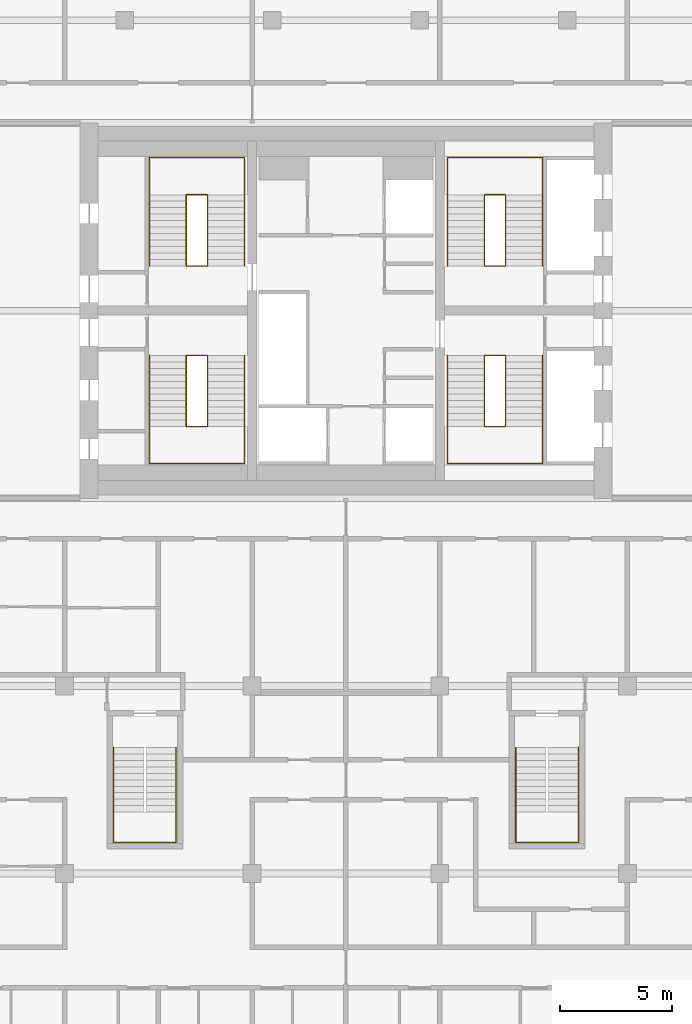
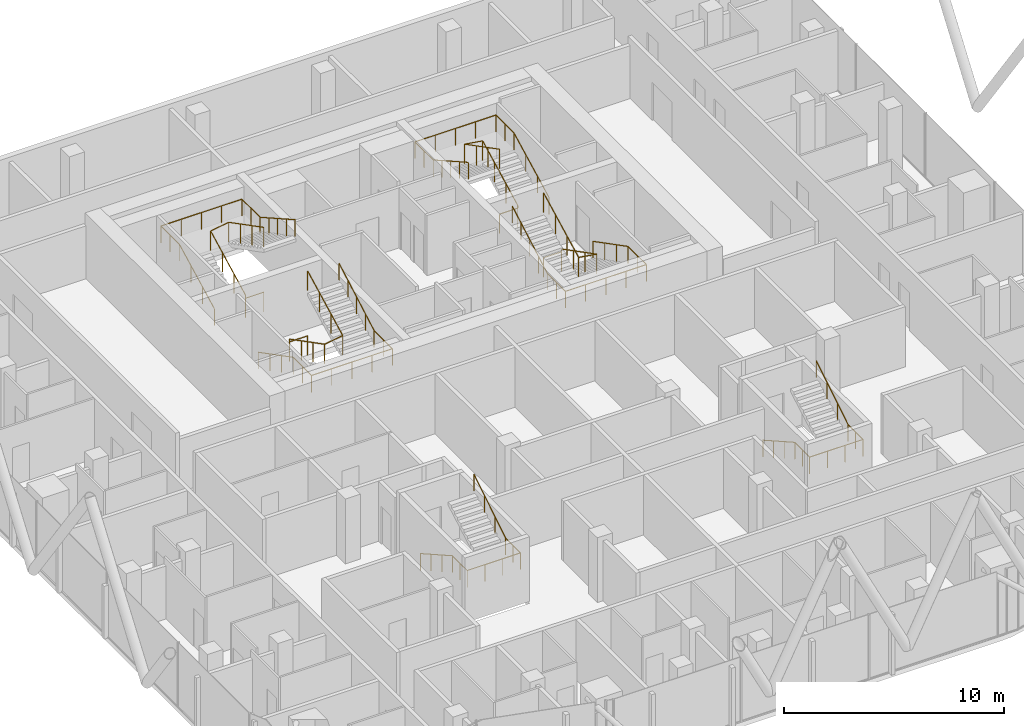
# One storey, part 28 of 28: 10 railings.
"""IFC4 building model written with IfcOpenShell, lengths in metres."""

from ifc_helpers import new_model, si_unit, direction, frame, origin, origin_2d, place, context, subcontext, project, spatial, circle, extrude, material, type_object, element, save


model = new_model("IFC4")

# Units and contexts
model_context = context("Model", 3, precision=1e-05, world=origin(), true_north=direction((0.0, 1.0)))
body_context = subcontext(model_context, "Body", "Model", "MODEL_VIEW")
ifc_project = project(units=[si_unit("LENGTHUNIT", "METRE"), si_unit("AREAUNIT", "SQUARE_METRE"), si_unit("VOLUMEUNIT", "CUBIC_METRE"), si_unit("PLANEANGLEUNIT", "RADIAN"), si_unit("MASSUNIT", "GRAM", prefix="KILO")], contexts=[model_context])

# Site, building, storey
site_placement = place(None, origin())
site = spatial("IfcSite", under=ifc_project, at=site_placement, CompositionType="ELEMENT")
building_placement = place(site_placement, origin())
building = spatial("IfcBuilding", under=site, at=building_placement, Name="Marenta Gate Hotel Tower", CompositionType="ELEMENT")
storey_placement = place(building_placement, frame((0.0, 0.0, 212.89990234375)))
storey = spatial("IfcBuildingStorey", under=building, at=storey_placement, Name="L49", CompositionType="ELEMENT", Elevation=212.89990234375)

# Railings
ifc_material_1 = material(Name="Stainless steel", Category="steel")
railing_type_1 = type_object("IfcRailingType", Name="Core stair handrail 950", PredefinedType="HANDRAIL", material=ifc_material_1)
railing_1_placement = place(storey_placement, frame((-8.800048828125, 6.39990234375, 0.150146484375)))
element("IfcRailing", 1, at=railing_1_placement, inside=storey, type_object=railing_type_1, Name="HR-950 L49-KR-ST1-1", PredefinedType="HANDRAIL", context=body_context, shape_type="SweptSolid", body=[
    extrude(circle(Radius=0.02392578125, at=origin_2d()), frame((0.0, 0.0, 0.92578125), z_axis=(0.0, -0.888225295554, 0.459408123936), x_axis=(1.0, 0.0, 0.0)), (0.0, 0.0, 1.0), 3.59130859375),
    extrude(circle(Radius=0.02392578125, at=origin_2d()), frame((0.0, -3.18994140625, 2.57568359375), z_axis=(0.0, -1.0, 0.0), x_axis=(1.0, 0.0, 0.0)), (0.0, 0.0, 1.0), 1.659912109375),
    extrude(circle(Radius=0.02392578125, at=origin_2d()), frame((0.0, -4.849853515625, 2.57568359375), z_axis=(1.0, 0.0, 0.0), x_axis=(0.0, 1.0, 0.0)), (0.0, 0.0, 1.0), 4.25),
    extrude(circle(Radius=0.02392578125, at=origin_2d()), frame((4.25, -4.849853515625, 2.57568359375), z_axis=(0.0, 1.0, 0.0), x_axis=(-1.0, 0.0, 0.0)), (0.0, 0.0, 1.0), 1.659912109375),
    extrude(circle(Radius=0.02392578125, at=origin_2d()), frame((4.25, -3.18994140625, 2.57568359375), z_axis=(0.0, 0.87090897868, 0.491444351738), x_axis=(-1.0, 0.0, 0.0)), (0.0, 0.0, 1.0), 3.662841796875),
    extrude(circle(Radius=0.02099609375, at=origin_2d()), origin(), (0.0, 0.0, 1.0), 0.90185546875),
    extrude(circle(Radius=0.02099609375, at=origin_2d()), frame((0.0, -1.063232421875, 0.550048828125)), (0.0, 0.0, 1.0), 0.90185546875),
    extrude(circle(Radius=0.02099609375, at=origin_2d()), frame((0.0, -2.126708984375, 1.099853515625)), (0.0, 0.0, 1.0), 0.90185546875),
    extrude(circle(Radius=0.02099609375, at=origin_2d()), frame((0.0, -3.18994140625, 1.64990234375)), (0.0, 0.0, 1.0), 0.90185546875),
    extrude(circle(Radius=0.02099609375, at=origin_2d()), frame((0.0, -4.02001953125, 1.64990234375)), (0.0, 0.0, 1.0), 0.90185546875),
    extrude(circle(Radius=0.02099609375, at=origin_2d()), frame((0.0, -4.849853515625, 1.64990234375)), (0.0, 0.0, 1.0), 0.90185546875),
    extrude(circle(Radius=0.02099609375, at=origin_2d()), frame((1.0625, -4.849853515625, 1.64990234375)), (0.0, 0.0, 1.0), 0.90185546875),
    extrude(circle(Radius=0.02099609375, at=origin_2d()), frame((2.125, -4.849853515625, 1.64990234375)), (0.0, 0.0, 1.0), 0.90185546875),
    extrude(circle(Radius=0.02099609375, at=origin_2d()), frame((3.1875, -4.849853515625, 1.64990234375)), (0.0, 0.0, 1.0), 0.90185546875),
    extrude(circle(Radius=0.02099609375, at=origin_2d()), frame((4.25, -4.849853515625, 1.64990234375)), (0.0, 0.0, 1.0), 0.90185546875),
    extrude(circle(Radius=0.02099609375, at=origin_2d()), frame((4.25, -4.02001953125, 1.64990234375)), (0.0, 0.0, 1.0), 0.90185546875),
    extrude(circle(Radius=0.02099609375, at=origin_2d()), frame((4.25, -3.18994140625, 1.64990234375)), (0.0, 0.0, 1.0), 0.90185546875),
    extrude(circle(Radius=0.02099609375, at=origin_2d()), frame((4.25, -2.392578125, 2.099853515625)), (0.0, 0.0, 1.0), 0.90185546875),
    extrude(circle(Radius=0.02099609375, at=origin_2d()), frame((4.25, -1.594970703125, 2.5498046875)), (0.0, 0.0, 1.0), 0.90185546875),
    extrude(circle(Radius=0.02099609375, at=origin_2d()), frame((4.25, -0.79736328125, 3.0)), (0.0, 0.0, 1.0), 0.90185546875),
    extrude(circle(Radius=0.02099609375, at=origin_2d()), frame((4.25, 0.0, 3.449951171875)), (0.0, 0.0, 1.0), 0.90185546875),
])
railing_2_placement = place(storey_placement, frame((-8.800048828125, 10.39990234375, 0.150146484375)))
element("IfcRailing", 2, at=railing_2_placement, inside=storey, type_object=railing_type_1, Name="HR-950 L49-KR-ST2-1", PredefinedType="HANDRAIL", context=body_context, shape_type="SweptSolid", body=[
    extrude(circle(Radius=0.02392578125, at=origin_2d()), frame((0.0, 0.0, 0.92578125), z_axis=(0.0, 0.888239641807, 0.459380385653), x_axis=(-1.0, 0.0, 0.0)), (0.0, 0.0, 1.0), 3.591552734375),
    extrude(circle(Radius=0.02392578125, at=origin_2d()), frame((0.0, 3.190185546875, 2.57568359375), z_axis=(0.0, 1.0, 0.0), x_axis=(-1.0, 0.0, 0.0)), (0.0, 0.0, 1.0), 1.659912109375),
    extrude(circle(Radius=0.02392578125, at=origin_2d()), frame((0.0, 4.85009765625, 2.57568359375), z_axis=(1.0, 0.0, 0.0), x_axis=(0.0, 1.0, 0.0)), (0.0, 0.0, 1.0), 4.25),
    extrude(circle(Radius=0.02392578125, at=origin_2d()), frame((4.25, 4.85009765625, 2.57568359375), z_axis=(0.0, -1.0, 0.0), x_axis=(1.0, 0.0, 0.0)), (0.0, 0.0, 1.0), 1.659912109375),
    extrude(circle(Radius=0.02392578125, at=origin_2d()), frame((4.25, 3.190185546875, 2.57568359375), z_axis=(0.0, -0.870925075533, 0.491415824742), x_axis=(1.0, 0.0, 0.0)), (0.0, 0.0, 1.0), 3.6630859375),
    extrude(circle(Radius=0.02099609375, at=origin_2d()), origin(), (0.0, 0.0, 1.0), 0.90185546875),
    extrude(circle(Radius=0.02099609375, at=origin_2d()), frame((0.0, 1.0634765625, 0.550048828125)), (0.0, 0.0, 1.0), 0.90185546875),
    extrude(circle(Radius=0.02099609375, at=origin_2d()), frame((0.0, 2.126708984375, 1.099853515625)), (0.0, 0.0, 1.0), 0.90185546875),
    extrude(circle(Radius=0.02099609375, at=origin_2d()), frame((0.0, 3.190185546875, 1.64990234375)), (0.0, 0.0, 1.0), 0.90185546875),
    extrude(circle(Radius=0.02099609375, at=origin_2d()), frame((0.0, 4.02001953125, 1.64990234375)), (0.0, 0.0, 1.0), 0.90185546875),
    extrude(circle(Radius=0.02099609375, at=origin_2d()), frame((0.0, 4.85009765625, 1.64990234375)), (0.0, 0.0, 1.0), 0.90185546875),
    extrude(circle(Radius=0.02099609375, at=origin_2d()), frame((1.0625, 4.85009765625, 1.64990234375)), (0.0, 0.0, 1.0), 0.90185546875),
    extrude(circle(Radius=0.02099609375, at=origin_2d()), frame((2.125, 4.85009765625, 1.64990234375)), (0.0, 0.0, 1.0), 0.90185546875),
    extrude(circle(Radius=0.02099609375, at=origin_2d()), frame((3.1875, 4.85009765625, 1.64990234375)), (0.0, 0.0, 1.0), 0.90185546875),
    extrude(circle(Radius=0.02099609375, at=origin_2d()), frame((4.25, 4.85009765625, 1.64990234375)), (0.0, 0.0, 1.0), 0.90185546875),
    extrude(circle(Radius=0.02099609375, at=origin_2d()), frame((4.25, 4.02001953125, 1.64990234375)), (0.0, 0.0, 1.0), 0.90185546875),
    extrude(circle(Radius=0.02099609375, at=origin_2d()), frame((4.25, 3.190185546875, 1.64990234375)), (0.0, 0.0, 1.0), 0.90185546875),
    extrude(circle(Radius=0.02099609375, at=origin_2d()), frame((4.25, 2.392578125, 2.099853515625)), (0.0, 0.0, 1.0), 0.90185546875),
    extrude(circle(Radius=0.02099609375, at=origin_2d()), frame((4.25, 1.59521484375, 2.5498046875)), (0.0, 0.0, 1.0), 0.90185546875),
    extrude(circle(Radius=0.02099609375, at=origin_2d()), frame((4.25, 0.797607421875, 3.0)), (0.0, 0.0, 1.0), 0.90185546875),
    extrude(circle(Radius=0.02099609375, at=origin_2d()), frame((4.25, 0.0, 3.449951171875)), (0.0, 0.0, 1.0), 0.90185546875),
])
railing_3_placement = place(storey_placement, frame((8.800048828125, 6.39990234375, 0.150146484375)))
element("IfcRailing", 3, at=railing_3_placement, inside=storey, type_object=railing_type_1, Name="HR-950 L49-KR-ST3-1", PredefinedType="HANDRAIL", context=body_context, shape_type="SweptSolid", body=[
    extrude(circle(Radius=0.02392578125, at=origin_2d()), frame((0.0, 0.0, 0.92578125), z_axis=(0.0, -0.888225295554, 0.459408123936), x_axis=(1.0, 0.0, 0.0)), (0.0, 0.0, 1.0), 3.59130859375),
    extrude(circle(Radius=0.02392578125, at=origin_2d()), frame((0.0, -3.18994140625, 2.57568359375), z_axis=(0.0, -1.0, 0.0), x_axis=(1.0, 0.0, 0.0)), (0.0, 0.0, 1.0), 1.659912109375),
    extrude(circle(Radius=0.02392578125, at=origin_2d()), frame((0.0, -4.849853515625, 2.57568359375), z_axis=(-1.0, 0.0, 0.0), x_axis=(0.0, -1.0, 0.0)), (0.0, 0.0, 1.0), 4.25),
    extrude(circle(Radius=0.02392578125, at=origin_2d()), frame((-4.25, -4.849853515625, 2.57568359375), z_axis=(0.0, 1.0, 0.0), x_axis=(-1.0, 0.0, 0.0)), (0.0, 0.0, 1.0), 1.659912109375),
    extrude(circle(Radius=0.02392578125, at=origin_2d()), frame((-4.25, -3.18994140625, 2.57568359375), z_axis=(0.0, 0.87090897868, 0.491444351738), x_axis=(-1.0, 0.0, 0.0)), (0.0, 0.0, 1.0), 3.662841796875),
    extrude(circle(Radius=0.02099609375, at=origin_2d()), origin(), (0.0, 0.0, 1.0), 0.90185546875),
    extrude(circle(Radius=0.02099609375, at=origin_2d()), frame((0.0, -1.063232421875, 0.550048828125)), (0.0, 0.0, 1.0), 0.90185546875),
    extrude(circle(Radius=0.02099609375, at=origin_2d()), frame((0.0, -2.126708984375, 1.099853515625)), (0.0, 0.0, 1.0), 0.90185546875),
    extrude(circle(Radius=0.02099609375, at=origin_2d()), frame((0.0, -3.18994140625, 1.64990234375)), (0.0, 0.0, 1.0), 0.90185546875),
    extrude(circle(Radius=0.02099609375, at=origin_2d()), frame((0.0, -4.02001953125, 1.64990234375)), (0.0, 0.0, 1.0), 0.90185546875),
    extrude(circle(Radius=0.02099609375, at=origin_2d()), frame((0.0, -4.849853515625, 1.64990234375)), (0.0, 0.0, 1.0), 0.90185546875),
    extrude(circle(Radius=0.02099609375, at=origin_2d()), frame((-1.0625, -4.849853515625, 1.64990234375)), (0.0, 0.0, 1.0), 0.90185546875),
    extrude(circle(Radius=0.02099609375, at=origin_2d()), frame((-2.125, -4.849853515625, 1.64990234375)), (0.0, 0.0, 1.0), 0.90185546875),
    extrude(circle(Radius=0.02099609375, at=origin_2d()), frame((-3.1875, -4.849853515625, 1.64990234375)), (0.0, 0.0, 1.0), 0.90185546875),
    extrude(circle(Radius=0.02099609375, at=origin_2d()), frame((-4.25, -4.849853515625, 1.64990234375)), (0.0, 0.0, 1.0), 0.90185546875),
    extrude(circle(Radius=0.02099609375, at=origin_2d()), frame((-4.25, -4.02001953125, 1.64990234375)), (0.0, 0.0, 1.0), 0.90185546875),
    extrude(circle(Radius=0.02099609375, at=origin_2d()), frame((-4.25, -3.18994140625, 1.64990234375)), (0.0, 0.0, 1.0), 0.90185546875),
    extrude(circle(Radius=0.02099609375, at=origin_2d()), frame((-4.25, -2.392578125, 2.099853515625)), (0.0, 0.0, 1.0), 0.90185546875),
    extrude(circle(Radius=0.02099609375, at=origin_2d()), frame((-4.25, -1.594970703125, 2.5498046875)), (0.0, 0.0, 1.0), 0.90185546875),
    extrude(circle(Radius=0.02099609375, at=origin_2d()), frame((-4.25, -0.79736328125, 3.0)), (0.0, 0.0, 1.0), 0.90185546875),
    extrude(circle(Radius=0.02099609375, at=origin_2d()), frame((-4.25, 0.0, 3.449951171875)), (0.0, 0.0, 1.0), 0.90185546875),
])
railing_4_placement = place(storey_placement, frame((8.800048828125, 10.39990234375, 0.150146484375)))
element("IfcRailing", 4, at=railing_4_placement, inside=storey, type_object=railing_type_1, Name="HR-950 L49-KR-ST4-1", PredefinedType="HANDRAIL", context=body_context, shape_type="SweptSolid", body=[
    extrude(circle(Radius=0.02392578125, at=origin_2d()), frame((0.0, 0.0, 0.92578125), z_axis=(0.0, 0.888239641807, 0.459380385653), x_axis=(-1.0, 0.0, 0.0)), (0.0, 0.0, 1.0), 3.591552734375),
    extrude(circle(Radius=0.02392578125, at=origin_2d()), frame((0.0, 3.190185546875, 2.57568359375), z_axis=(0.0, 1.0, 0.0), x_axis=(-1.0, 0.0, 0.0)), (0.0, 0.0, 1.0), 1.659912109375),
    extrude(circle(Radius=0.02392578125, at=origin_2d()), frame((0.0, 4.85009765625, 2.57568359375), z_axis=(-1.0, 0.0, 0.0), x_axis=(0.0, -1.0, 0.0)), (0.0, 0.0, 1.0), 4.25),
    extrude(circle(Radius=0.02392578125, at=origin_2d()), frame((-4.25, 4.85009765625, 2.57568359375), z_axis=(0.0, -1.0, 0.0), x_axis=(1.0, 0.0, 0.0)), (0.0, 0.0, 1.0), 1.659912109375),
    extrude(circle(Radius=0.02392578125, at=origin_2d()), frame((-4.25, 3.190185546875, 2.57568359375), z_axis=(0.0, -0.870925075533, 0.491415824742), x_axis=(1.0, 0.0, 0.0)), (0.0, 0.0, 1.0), 3.6630859375),
    extrude(circle(Radius=0.02099609375, at=origin_2d()), origin(), (0.0, 0.0, 1.0), 0.90185546875),
    extrude(circle(Radius=0.02099609375, at=origin_2d()), frame((0.0, 1.0634765625, 0.550048828125)), (0.0, 0.0, 1.0), 0.90185546875),
    extrude(circle(Radius=0.02099609375, at=origin_2d()), frame((0.0, 2.126708984375, 1.099853515625)), (0.0, 0.0, 1.0), 0.90185546875),
    extrude(circle(Radius=0.02099609375, at=origin_2d()), frame((0.0, 3.190185546875, 1.64990234375)), (0.0, 0.0, 1.0), 0.90185546875),
    extrude(circle(Radius=0.02099609375, at=origin_2d()), frame((0.0, 4.02001953125, 1.64990234375)), (0.0, 0.0, 1.0), 0.90185546875),
    extrude(circle(Radius=0.02099609375, at=origin_2d()), frame((0.0, 4.85009765625, 1.64990234375)), (0.0, 0.0, 1.0), 0.90185546875),
    extrude(circle(Radius=0.02099609375, at=origin_2d()), frame((-1.0625, 4.85009765625, 1.64990234375)), (0.0, 0.0, 1.0), 0.90185546875),
    extrude(circle(Radius=0.02099609375, at=origin_2d()), frame((-2.125, 4.85009765625, 1.64990234375)), (0.0, 0.0, 1.0), 0.90185546875),
    extrude(circle(Radius=0.02099609375, at=origin_2d()), frame((-3.1875, 4.85009765625, 1.64990234375)), (0.0, 0.0, 1.0), 0.90185546875),
    extrude(circle(Radius=0.02099609375, at=origin_2d()), frame((-4.25, 4.85009765625, 1.64990234375)), (0.0, 0.0, 1.0), 0.90185546875),
    extrude(circle(Radius=0.02099609375, at=origin_2d()), frame((-4.25, 4.02001953125, 1.64990234375)), (0.0, 0.0, 1.0), 0.90185546875),
    extrude(circle(Radius=0.02099609375, at=origin_2d()), frame((-4.25, 3.190185546875, 1.64990234375)), (0.0, 0.0, 1.0), 0.90185546875),
    extrude(circle(Radius=0.02099609375, at=origin_2d()), frame((-4.25, 2.392578125, 2.099853515625)), (0.0, 0.0, 1.0), 0.90185546875),
    extrude(circle(Radius=0.02099609375, at=origin_2d()), frame((-4.25, 1.59521484375, 2.5498046875)), (0.0, 0.0, 1.0), 0.90185546875),
    extrude(circle(Radius=0.02099609375, at=origin_2d()), frame((-4.25, 0.797607421875, 3.0)), (0.0, 0.0, 1.0), 0.90185546875),
    extrude(circle(Radius=0.02099609375, at=origin_2d()), frame((-4.25, 0.0, 3.449951171875)), (0.0, 0.0, 1.0), 0.90185546875),
])
railing_5_placement = place(storey_placement, frame((-10.39990234375, -11.14990234375, 0.163818359375)))
element("IfcRailing", 5, at=railing_5_placement, inside=storey, type_object=railing_type_1, Name="HR-950 L49-RS-Z3-1-KR-1", PredefinedType="HANDRAIL", context=body_context, shape_type="SweptSolid", body=[
    extrude(circle(Radius=0.02392578125, at=origin_2d()), frame((0.0, 0.0, 0.92578125), z_axis=(0.0, -0.870946286338, 0.49137823142), x_axis=(1.0, 0.0, 0.0)), (0.0, 0.0, 1.0), 3.329833984375),
    extrude(circle(Radius=0.02392578125, at=origin_2d()), frame((0.0, -2.900146484375, 2.56201171875), z_axis=(0.0, -1.0, 0.0), x_axis=(1.0, 0.0, 0.0)), (0.0, 0.0, 1.0), 1.349853515625),
    extrude(circle(Radius=0.02392578125, at=origin_2d()), frame((0.0, -4.25, 2.56201171875), z_axis=(1.0, 0.0, 0.0), x_axis=(0.0, 1.0, 0.0)), (0.0, 0.0, 1.0), 2.7998046875),
    extrude(circle(Radius=0.02392578125, at=origin_2d()), frame((2.7998046875, -4.25, 2.56201171875), z_axis=(0.0, 1.0, 0.0), x_axis=(-1.0, 0.0, 0.0)), (0.0, 0.0, 1.0), 1.349853515625),
    extrude(circle(Radius=0.02392578125, at=origin_2d()), frame((2.7998046875, -2.900146484375, 2.56201171875), z_axis=(0.0, 0.849645691689, 0.527353959494), x_axis=(-1.0, 0.0, 0.0)), (0.0, 0.0, 1.0), 3.413330078125),
    extrude(circle(Radius=0.02099609375, at=origin_2d()), origin(), (0.0, 0.0, 1.0), 0.90185546875),
    extrude(circle(Radius=0.02099609375, at=origin_2d()), frame((0.0, -0.966796875, 0.54541015625)), (0.0, 0.0, 1.0), 0.90185546875),
    extrude(circle(Radius=0.02099609375, at=origin_2d()), frame((0.0, -1.933349609375, 1.0908203125)), (0.0, 0.0, 1.0), 0.90185546875),
    extrude(circle(Radius=0.02099609375, at=origin_2d()), frame((0.0, -2.900146484375, 1.63623046875)), (0.0, 0.0, 1.0), 0.90185546875),
    extrude(circle(Radius=0.02099609375, at=origin_2d()), frame((0.0, -3.5751953125, 1.63623046875)), (0.0, 0.0, 1.0), 0.90185546875),
    extrude(circle(Radius=0.02099609375, at=origin_2d()), frame((0.0, -4.25, 1.63623046875)), (0.0, 0.0, 1.0), 0.90185546875),
    extrude(circle(Radius=0.02099609375, at=origin_2d()), frame((0.933349609375, -4.25, 1.63623046875)), (0.0, 0.0, 1.0), 0.90185546875),
    extrude(circle(Radius=0.02099609375, at=origin_2d()), frame((1.866455078125, -4.25, 1.63623046875)), (0.0, 0.0, 1.0), 0.90185546875),
    extrude(circle(Radius=0.02099609375, at=origin_2d()), frame((2.7998046875, -4.25, 1.63623046875)), (0.0, 0.0, 1.0), 0.90185546875),
    extrude(circle(Radius=0.02099609375, at=origin_2d()), frame((2.7998046875, -3.5751953125, 1.63623046875)), (0.0, 0.0, 1.0), 0.90185546875),
    extrude(circle(Radius=0.02099609375, at=origin_2d()), frame((2.7998046875, -2.900146484375, 1.63623046875)), (0.0, 0.0, 1.0), 0.90185546875),
    extrude(circle(Radius=0.02099609375, at=origin_2d()), frame((2.7998046875, -1.933349609375, 2.236328125)), (0.0, 0.0, 1.0), 0.90185546875),
    extrude(circle(Radius=0.02099609375, at=origin_2d()), frame((2.7998046875, -0.966796875, 2.836181640625)), (0.0, 0.0, 1.0), 0.90185546875),
    extrude(circle(Radius=0.02099609375, at=origin_2d()), frame((2.7998046875, 0.0, 3.436279296875)), (0.0, 0.0, 1.0), 0.90185546875),
])
railing_6_placement = place(storey_placement, frame((7.60009765625, -11.14990234375, 0.163818359375)))
element("IfcRailing", 6, at=railing_6_placement, inside=storey, type_object=railing_type_1, Name="HR-950 L49-RS-Z3-2-KR-1", PredefinedType="HANDRAIL", context=body_context, shape_type="SweptSolid", body=[
    extrude(circle(Radius=0.02392578125, at=origin_2d()), frame((0.0, 0.0, 0.92578125), z_axis=(0.0, -0.870946286338, 0.49137823142), x_axis=(1.0, 0.0, 0.0)), (0.0, 0.0, 1.0), 3.329833984375),
    extrude(circle(Radius=0.02392578125, at=origin_2d()), frame((0.0, -2.900146484375, 2.56201171875), z_axis=(0.0, -1.0, 0.0), x_axis=(1.0, 0.0, 0.0)), (0.0, 0.0, 1.0), 1.349853515625),
    extrude(circle(Radius=0.02392578125, at=origin_2d()), frame((0.0, -4.25, 2.56201171875), z_axis=(1.0, 0.0, 0.0), x_axis=(0.0, 1.0, 0.0)), (0.0, 0.0, 1.0), 2.7998046875),
    extrude(circle(Radius=0.02392578125, at=origin_2d()), frame((2.7998046875, -4.25, 2.56201171875), z_axis=(0.0, 1.0, 0.0), x_axis=(-1.0, 0.0, 0.0)), (0.0, 0.0, 1.0), 1.349853515625),
    extrude(circle(Radius=0.02392578125, at=origin_2d()), frame((2.7998046875, -2.900146484375, 2.56201171875), z_axis=(0.0, 0.849645691689, 0.527353959494), x_axis=(-1.0, 0.0, 0.0)), (0.0, 0.0, 1.0), 3.413330078125),
    extrude(circle(Radius=0.02099609375, at=origin_2d()), origin(), (0.0, 0.0, 1.0), 0.90185546875),
    extrude(circle(Radius=0.02099609375, at=origin_2d()), frame((0.0, -0.966796875, 0.54541015625)), (0.0, 0.0, 1.0), 0.90185546875),
    extrude(circle(Radius=0.02099609375, at=origin_2d()), frame((0.0, -1.933349609375, 1.0908203125)), (0.0, 0.0, 1.0), 0.90185546875),
    extrude(circle(Radius=0.02099609375, at=origin_2d()), frame((0.0, -2.900146484375, 1.63623046875)), (0.0, 0.0, 1.0), 0.90185546875),
    extrude(circle(Radius=0.02099609375, at=origin_2d()), frame((0.0, -3.5751953125, 1.63623046875)), (0.0, 0.0, 1.0), 0.90185546875),
    extrude(circle(Radius=0.02099609375, at=origin_2d()), frame((0.0, -4.25, 1.63623046875)), (0.0, 0.0, 1.0), 0.90185546875),
    extrude(circle(Radius=0.02099609375, at=origin_2d()), frame((0.933349609375, -4.25, 1.63623046875)), (0.0, 0.0, 1.0), 0.90185546875),
    extrude(circle(Radius=0.02099609375, at=origin_2d()), frame((1.866455078125, -4.25, 1.63623046875)), (0.0, 0.0, 1.0), 0.90185546875),
    extrude(circle(Radius=0.02099609375, at=origin_2d()), frame((2.7998046875, -4.25, 1.63623046875)), (0.0, 0.0, 1.0), 0.90185546875),
    extrude(circle(Radius=0.02099609375, at=origin_2d()), frame((2.7998046875, -3.5751953125, 1.63623046875)), (0.0, 0.0, 1.0), 0.90185546875),
    extrude(circle(Radius=0.02099609375, at=origin_2d()), frame((2.7998046875, -2.900146484375, 1.63623046875)), (0.0, 0.0, 1.0), 0.90185546875),
    extrude(circle(Radius=0.02099609375, at=origin_2d()), frame((2.7998046875, -1.933349609375, 2.236328125)), (0.0, 0.0, 1.0), 0.90185546875),
    extrude(circle(Radius=0.02099609375, at=origin_2d()), frame((2.7998046875, -0.966796875, 2.836181640625)), (0.0, 0.0, 1.0), 0.90185546875),
    extrude(circle(Radius=0.02099609375, at=origin_2d()), frame((2.7998046875, 0.0, 3.436279296875)), (0.0, 0.0, 1.0), 0.90185546875),
])
ifc_material_2 = material(Name="Stainless steel", Category="steel")
railing_type_2 = type_object("IfcRailingType", Name="Core stair well guard 1100", PredefinedType="GUARDRAIL", material=ifc_material_2)
railing_7_placement = place(storey_placement, frame((-6.199951171875, 6.39990234375, 0.0)))
element("IfcRailing", 7, at=railing_7_placement, inside=storey, type_object=railing_type_2, Name="GR-1100 L49-KR-ST1-2", PredefinedType="GUARDRAIL", context=body_context, shape_type="SweptSolid", body=[
    extrude(circle(Radius=0.02392578125, at=origin_2d()), frame((0.0, 0.0, 1.076171875), z_axis=(-1.0, 0.0, 0.0), x_axis=(0.0, -1.0, 0.0)), (0.0, 0.0, 1.0), 0.949951171875),
    extrude(circle(Radius=0.02392578125, at=origin_2d()), frame((-0.949951171875, 0.0, 1.076171875), z_axis=(0.0, 0.0, 1.0), x_axis=(1.0, 0.0, 0.0)), (0.0, 0.0, 1.0), 0.150146484375),
    extrude(circle(Radius=0.02392578125, at=origin_2d()), frame((-0.949951171875, 0.0, 1.22607421875), z_axis=(0.0, -0.888225295554, 0.459408123936), x_axis=(1.0, 0.0, 0.0)), (0.0, 0.0, 1.0), 3.59130859375),
    extrude(circle(Radius=0.02392578125, at=origin_2d()), frame((-0.949951171875, -3.18994140625, 2.8759765625), z_axis=(0.987738253826, 0.0, 0.156118999255), x_axis=(0.0, 1.0, 0.0)), (0.0, 0.0, 1.0), 0.961669921875),
    extrude(circle(Radius=0.02392578125, at=origin_2d()), frame((0.0, -3.18994140625, 3.0263671875), z_axis=(0.0, 0.888225295554, 0.459408123936), x_axis=(-1.0, 0.0, 0.0)), (0.0, 0.0, 1.0), 3.59130859375),
    extrude(circle(Radius=0.02099609375, at=origin_2d()), origin(), (0.0, 0.0, 1.0), 1.052001953125),
    extrude(circle(Radius=0.02099609375, at=origin_2d()), frame((-0.949951171875, 0.0, 0.0)), (0.0, 0.0, 1.0), 1.052001953125),
    extrude(circle(Radius=0.02099609375, at=origin_2d()), frame((-0.949951171875, 0.0, 0.150146484375)), (0.0, 0.0, 1.0), 1.052001953125),
    extrude(circle(Radius=0.02099609375, at=origin_2d()), frame((-0.949951171875, -1.063232421875, 0.7001953125)), (0.0, 0.0, 1.0), 1.052001953125),
    extrude(circle(Radius=0.02099609375, at=origin_2d()), frame((-0.949951171875, -2.126708984375, 1.25)), (0.0, 0.0, 1.0), 1.052001953125),
    extrude(circle(Radius=0.02099609375, at=origin_2d()), frame((-0.949951171875, -3.18994140625, 1.800048828125)), (0.0, 0.0, 1.0), 1.052001953125),
    extrude(circle(Radius=0.02099609375, at=origin_2d()), frame((0.0, -3.18994140625, 1.9501953125)), (0.0, 0.0, 1.0), 1.052001953125),
    extrude(circle(Radius=0.02099609375, at=origin_2d()), frame((0.0, -2.126708984375, 2.500244140625)), (0.0, 0.0, 1.0), 1.052001953125),
    extrude(circle(Radius=0.02099609375, at=origin_2d()), frame((0.0, -1.063232421875, 3.050048828125)), (0.0, 0.0, 1.0), 1.052001953125),
    extrude(circle(Radius=0.02099609375, at=origin_2d()), frame((0.0, 0.0, 3.60009765625)), (0.0, 0.0, 1.0), 1.052001953125),
])
railing_8_placement = place(storey_placement, frame((-6.199951171875, 10.39990234375, 0.0)))
element("IfcRailing", 8, at=railing_8_placement, inside=storey, type_object=railing_type_2, Name="GR-1100 L49-KR-ST2-2", PredefinedType="GUARDRAIL", context=body_context, shape_type="SweptSolid", body=[
    extrude(circle(Radius=0.02392578125, at=origin_2d()), frame((0.0, 0.0, 1.076171875), z_axis=(-1.0, 0.0, 0.0), x_axis=(0.0, -1.0, 0.0)), (0.0, 0.0, 1.0), 0.949951171875),
    extrude(circle(Radius=0.02392578125, at=origin_2d()), frame((-0.949951171875, 0.0, 1.076171875), z_axis=(0.0, 0.0, 1.0), x_axis=(1.0, 0.0, 0.0)), (0.0, 0.0, 1.0), 0.150146484375),
    extrude(circle(Radius=0.02392578125, at=origin_2d()), frame((-0.949951171875, 0.0, 1.22607421875), z_axis=(0.0, 0.888239641807, 0.459380385653), x_axis=(-1.0, 0.0, 0.0)), (0.0, 0.0, 1.0), 3.591552734375),
    extrude(circle(Radius=0.02392578125, at=origin_2d()), frame((-0.949951171875, 3.190185546875, 2.8759765625), z_axis=(0.987738253826, 0.0, 0.156118999255), x_axis=(0.0, 1.0, 0.0)), (0.0, 0.0, 1.0), 0.961669921875),
    extrude(circle(Radius=0.02392578125, at=origin_2d()), frame((0.0, 3.190185546875, 3.0263671875), z_axis=(0.0, -0.888239641807, 0.459380385653), x_axis=(1.0, 0.0, 0.0)), (0.0, 0.0, 1.0), 3.591552734375),
    extrude(circle(Radius=0.02099609375, at=origin_2d()), origin(), (0.0, 0.0, 1.0), 1.052001953125),
    extrude(circle(Radius=0.02099609375, at=origin_2d()), frame((-0.949951171875, 0.0, 0.0)), (0.0, 0.0, 1.0), 1.052001953125),
    extrude(circle(Radius=0.02099609375, at=origin_2d()), frame((-0.949951171875, 0.0, 0.150146484375)), (0.0, 0.0, 1.0), 1.052001953125),
    extrude(circle(Radius=0.02099609375, at=origin_2d()), frame((-0.949951171875, 1.0634765625, 0.7001953125)), (0.0, 0.0, 1.0), 1.052001953125),
    extrude(circle(Radius=0.02099609375, at=origin_2d()), frame((-0.949951171875, 2.126708984375, 1.25)), (0.0, 0.0, 1.0), 1.052001953125),
    extrude(circle(Radius=0.02099609375, at=origin_2d()), frame((-0.949951171875, 3.190185546875, 1.800048828125)), (0.0, 0.0, 1.0), 1.052001953125),
    extrude(circle(Radius=0.02099609375, at=origin_2d()), frame((0.0, 3.190185546875, 1.9501953125)), (0.0, 0.0, 1.0), 1.052001953125),
    extrude(circle(Radius=0.02099609375, at=origin_2d()), frame((0.0, 2.126708984375, 2.500244140625)), (0.0, 0.0, 1.0), 1.052001953125),
    extrude(circle(Radius=0.02099609375, at=origin_2d()), frame((0.0, 1.0634765625, 3.050048828125)), (0.0, 0.0, 1.0), 1.052001953125),
    extrude(circle(Radius=0.02099609375, at=origin_2d()), frame((0.0, 0.0, 3.60009765625)), (0.0, 0.0, 1.0), 1.052001953125),
])
railing_9_placement = place(storey_placement, frame((6.199951171875, 6.39990234375, 0.0)))
element("IfcRailing", 9, at=railing_9_placement, inside=storey, type_object=railing_type_2, Name="GR-1100 L49-KR-ST3-2", PredefinedType="GUARDRAIL", context=body_context, shape_type="SweptSolid", body=[
    extrude(circle(Radius=0.02392578125, at=origin_2d()), frame((0.0, 0.0, 1.076171875), z_axis=(1.0, 0.0, 0.0), x_axis=(0.0, 1.0, 0.0)), (0.0, 0.0, 1.0), 0.949951171875),
    extrude(circle(Radius=0.02392578125, at=origin_2d()), frame((0.949951171875, 0.0, 1.076171875), z_axis=(0.0, 0.0, 1.0), x_axis=(1.0, 0.0, 0.0)), (0.0, 0.0, 1.0), 0.150146484375),
    extrude(circle(Radius=0.02392578125, at=origin_2d()), frame((0.949951171875, 0.0, 1.22607421875), z_axis=(0.0, -0.888225295554, 0.459408123936), x_axis=(1.0, 0.0, 0.0)), (0.0, 0.0, 1.0), 3.59130859375),
    extrude(circle(Radius=0.02392578125, at=origin_2d()), frame((0.949951171875, -3.18994140625, 2.8759765625), z_axis=(-0.987738253826, 0.0, 0.156118999255), x_axis=(0.0, -1.0, 0.0)), (0.0, 0.0, 1.0), 0.961669921875),
    extrude(circle(Radius=0.02392578125, at=origin_2d()), frame((0.0, -3.18994140625, 3.0263671875), z_axis=(0.0, 0.888225295554, 0.459408123936), x_axis=(-1.0, 0.0, 0.0)), (0.0, 0.0, 1.0), 3.59130859375),
    extrude(circle(Radius=0.02099609375, at=origin_2d()), origin(), (0.0, 0.0, 1.0), 1.052001953125),
    extrude(circle(Radius=0.02099609375, at=origin_2d()), frame((0.949951171875, 0.0, 0.0)), (0.0, 0.0, 1.0), 1.052001953125),
    extrude(circle(Radius=0.02099609375, at=origin_2d()), frame((0.949951171875, 0.0, 0.150146484375)), (0.0, 0.0, 1.0), 1.052001953125),
    extrude(circle(Radius=0.02099609375, at=origin_2d()), frame((0.949951171875, -1.063232421875, 0.7001953125)), (0.0, 0.0, 1.0), 1.052001953125),
    extrude(circle(Radius=0.02099609375, at=origin_2d()), frame((0.949951171875, -2.126708984375, 1.25)), (0.0, 0.0, 1.0), 1.052001953125),
    extrude(circle(Radius=0.02099609375, at=origin_2d()), frame((0.949951171875, -3.18994140625, 1.800048828125)), (0.0, 0.0, 1.0), 1.052001953125),
    extrude(circle(Radius=0.02099609375, at=origin_2d()), frame((0.0, -3.18994140625, 1.9501953125)), (0.0, 0.0, 1.0), 1.052001953125),
    extrude(circle(Radius=0.02099609375, at=origin_2d()), frame((0.0, -2.126708984375, 2.500244140625)), (0.0, 0.0, 1.0), 1.052001953125),
    extrude(circle(Radius=0.02099609375, at=origin_2d()), frame((0.0, -1.063232421875, 3.050048828125)), (0.0, 0.0, 1.0), 1.052001953125),
    extrude(circle(Radius=0.02099609375, at=origin_2d()), frame((0.0, 0.0, 3.60009765625)), (0.0, 0.0, 1.0), 1.052001953125),
])
railing_10_placement = place(storey_placement, frame((6.199951171875, 10.39990234375, 0.0)))
element("IfcRailing", 10, at=railing_10_placement, inside=storey, type_object=railing_type_2, Name="GR-1100 L49-KR-ST4-2", PredefinedType="GUARDRAIL", context=body_context, shape_type="SweptSolid", body=[
    extrude(circle(Radius=0.02392578125, at=origin_2d()), frame((0.0, 0.0, 1.076171875), z_axis=(1.0, 0.0, 0.0), x_axis=(0.0, 1.0, 0.0)), (0.0, 0.0, 1.0), 0.949951171875),
    extrude(circle(Radius=0.02392578125, at=origin_2d()), frame((0.949951171875, 0.0, 1.076171875), z_axis=(0.0, 0.0, 1.0), x_axis=(1.0, 0.0, 0.0)), (0.0, 0.0, 1.0), 0.150146484375),
    extrude(circle(Radius=0.02392578125, at=origin_2d()), frame((0.949951171875, 0.0, 1.22607421875), z_axis=(0.0, 0.888239641807, 0.459380385653), x_axis=(-1.0, 0.0, 0.0)), (0.0, 0.0, 1.0), 3.591552734375),
    extrude(circle(Radius=0.02392578125, at=origin_2d()), frame((0.949951171875, 3.190185546875, 2.8759765625), z_axis=(-0.987738253826, 0.0, 0.156118999255), x_axis=(0.0, -1.0, 0.0)), (0.0, 0.0, 1.0), 0.961669921875),
    extrude(circle(Radius=0.02392578125, at=origin_2d()), frame((0.0, 3.190185546875, 3.0263671875), z_axis=(0.0, -0.888239641807, 0.459380385653), x_axis=(1.0, 0.0, 0.0)), (0.0, 0.0, 1.0), 3.591552734375),
    extrude(circle(Radius=0.02099609375, at=origin_2d()), origin(), (0.0, 0.0, 1.0), 1.052001953125),
    extrude(circle(Radius=0.02099609375, at=origin_2d()), frame((0.949951171875, 0.0, 0.0)), (0.0, 0.0, 1.0), 1.052001953125),
    extrude(circle(Radius=0.02099609375, at=origin_2d()), frame((0.949951171875, 0.0, 0.150146484375)), (0.0, 0.0, 1.0), 1.052001953125),
    extrude(circle(Radius=0.02099609375, at=origin_2d()), frame((0.949951171875, 1.0634765625, 0.7001953125)), (0.0, 0.0, 1.0), 1.052001953125),
    extrude(circle(Radius=0.02099609375, at=origin_2d()), frame((0.949951171875, 2.126708984375, 1.25)), (0.0, 0.0, 1.0), 1.052001953125),
    extrude(circle(Radius=0.02099609375, at=origin_2d()), frame((0.949951171875, 3.190185546875, 1.800048828125)), (0.0, 0.0, 1.0), 1.052001953125),
    extrude(circle(Radius=0.02099609375, at=origin_2d()), frame((0.0, 3.190185546875, 1.9501953125)), (0.0, 0.0, 1.0), 1.052001953125),
    extrude(circle(Radius=0.02099609375, at=origin_2d()), frame((0.0, 2.126708984375, 2.500244140625)), (0.0, 0.0, 1.0), 1.052001953125),
    extrude(circle(Radius=0.02099609375, at=origin_2d()), frame((0.0, 1.0634765625, 3.050048828125)), (0.0, 0.0, 1.0), 1.052001953125),
    extrude(circle(Radius=0.02099609375, at=origin_2d()), frame((0.0, 0.0, 3.60009765625)), (0.0, 0.0, 1.0), 1.052001953125),
])

save(model, "model.ifc")
